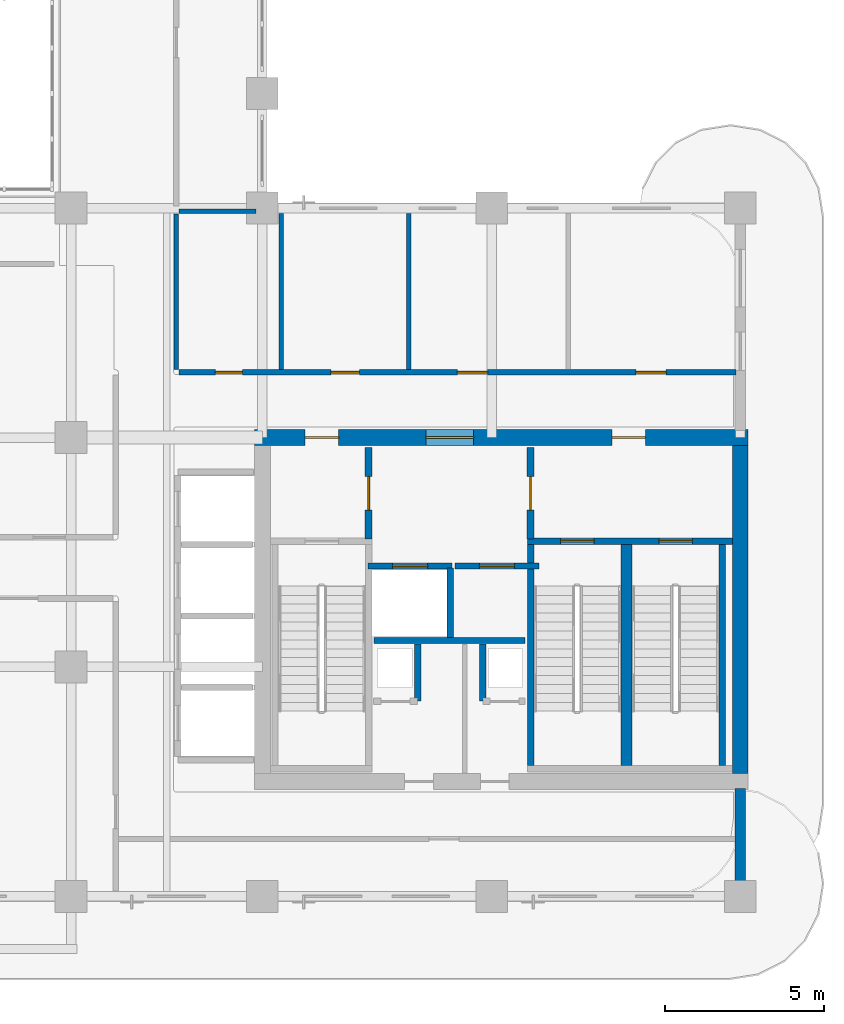
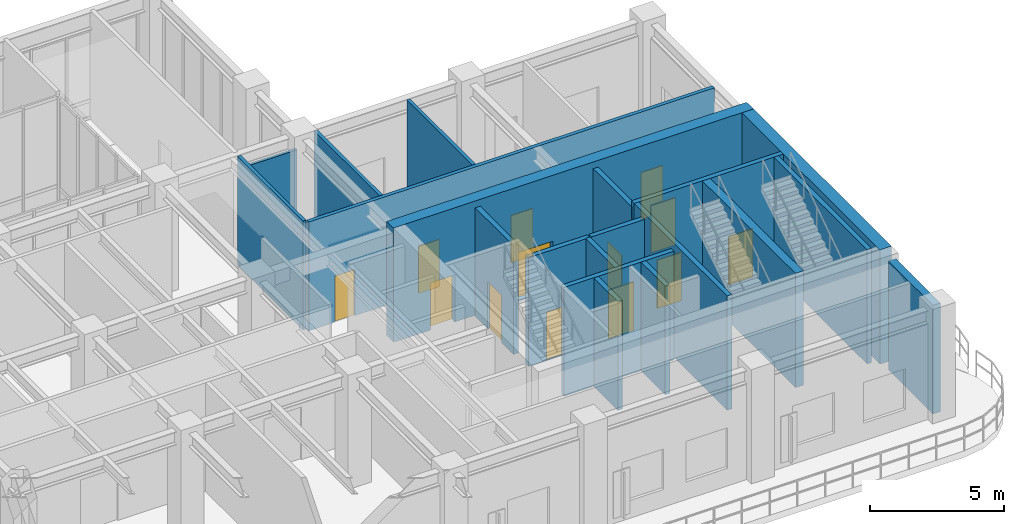
# One storey, part 13 of 21: 20 walls, 13 doors, 13 openings.
"""IFC4 building model written with IfcOpenShell, lengths in metres."""

from ifc_helpers import new_model, si_unit, derived_unit, direction, frame, frame_2d, origin, place, context, subcontext, project, spatial, rectangle, extrude, source, transform, mapped, material, layer, layer_set, type_object, type_shapes, element, fill, save


model = new_model("IFC4")

# Units and contexts
model_context = context("Model", 3, precision=1e-05, world=origin(), true_north=direction((0.0, 1.0)))
body_context = subcontext(model_context, "Body", "Model", "MODEL_VIEW")
ifc_project = project(units=[si_unit("LENGTHUNIT", "METRE"), si_unit("AREAUNIT", "SQUARE_METRE"), si_unit("VOLUMEUNIT", "CUBIC_METRE"), si_unit("PLANEANGLEUNIT", "RADIAN"), si_unit("MASSUNIT", "GRAM", prefix="KILO"), si_unit("THERMODYNAMICTEMPERATUREUNIT", "KELVIN"), si_unit("POWERUNIT", "WATT"), derived_unit("THERMALTRANSMITTANCEUNIT", [(si_unit("POWERUNIT", "WATT"), 1), (si_unit("AREAUNIT", "SQUARE_METRE"), -1), (si_unit("THERMODYNAMICTEMPERATUREUNIT", "KELVIN"), -1)])], contexts=[model_context])

# Site, building, storey
site_placement = place(None, origin())
site = spatial("IfcSite", under=ifc_project, at=site_placement, CompositionType="ELEMENT")
building_placement = place(site_placement, origin())
building = spatial("IfcBuilding", under=site, at=building_placement, Name="Zahravan Archway Hotel and Residences", CompositionType="ELEMENT")
storey_placement = place(building_placement, frame((0.0, 0.0, 145.10009765625)))
storey = spatial("IfcBuildingStorey", under=building, at=storey_placement, Name="L36", CompositionType="ELEMENT", Elevation=145.10009765625)

# Wall, openings, doors
ifc_material_1 = material(Name="Concrete C60/75", Category="concrete")
ifc_layer_1 = layer(ifc_material_1, 0.5, Name="Concrete C60/75", Category="concrete")
ifc_layer_set_1 = layer_set([ifc_layer_1], Name="Concrete C60/75")
wall_type_1 = type_object("IfcWallType", Name="CW-CORE-500", PredefinedType="SHEAR", material=ifc_layer_set_1)
wall_1_placement = place(storey_placement, frame((34.550048828125, 14.39990234375, 0.0), z_axis=(0.0, 0.0, 1.0), x_axis=(1.0, 0.0, 0.0)))
wall_1 = element("IfcWall", 1, at=wall_1_placement, inside=storey, type_object=wall_type_1, Name="L36 Core A Shear N Wall 500 mm", PredefinedType="SHEAR", context=body_context, shape_type="SweptSolid", body=[
    extrude(rectangle(XDim=15.5, YDim=0.5, at=frame_2d((7.75, 0.0))), origin(), (0.0, 0.0, 1.0), 5.199951171875),
])
opening_1_placement = place(wall_1_placement, frame((5.3798828125, 0.0, 0.0)))
opening_1 = element("IfcOpeningElement", 2, at=opening_1_placement, cuts=wall_1, Name="Opening FD-L1", PredefinedType="OPENING", context=body_context, shape_type="SweptSolid", body=[
    extrude(rectangle(XDim=1.5, YDim=2.199951171875, at=frame_2d((0.75, 1.10009765625))), frame((0.0, 0.260009765625, 0.0), z_axis=(0.0, -1.0, 0.0), x_axis=(1.0, 0.0, 0.0)), (0.0, 0.0, 1.0), 0.52001953125),
])
opening_2_placement = place(wall_1_placement, frame((1.594970703125, 0.0, 0.0)))
opening_2 = element("IfcOpeningElement", 3, at=opening_2_placement, cuts=wall_1, Name="Opening FD-L2", PredefinedType="OPENING", context=body_context, shape_type="SweptSolid", body=[
    extrude(rectangle(XDim=1.050048828125, YDim=2.14990234375, at=frame_2d((0.52490234375, 1.074951171875))), frame((0.0, 0.260009765625, 0.0), z_axis=(0.0, -1.0, 0.0), x_axis=(1.0, 0.0, 0.0)), (0.0, 0.0, 1.0), 0.52001953125),
])
opening_3_placement = place(wall_1_placement, frame((11.22509765625, 0.0, 0.0)))
opening_3 = element("IfcOpeningElement", 4, at=opening_3_placement, cuts=wall_1, Name="Opening FD-L2", PredefinedType="OPENING", context=body_context, shape_type="SweptSolid", body=[
    extrude(rectangle(XDim=1.050048828125, YDim=2.14990234375, at=frame_2d((0.52490234375, 1.074951171875))), frame((0.0, 0.260009765625, 0.0), z_axis=(0.0, -1.0, 0.0), x_axis=(1.0, 0.0, 0.0)), (0.0, 0.0, 1.0), 0.52001953125),
])
ifc_material_2 = material(Name="Fire-Rated Painted Steel", Category="steel")
door_type_1 = type_object("IfcDoorType", Name="FD-LOBBY-1100", OperationType="NOTDEFINED", PredefinedType="DOOR", material=ifc_material_2)
shared_shape_1 = source(origin(), body_context, "Body", "SweptSolid", [
    extrude(rectangle(XDim=1.050048828125, YDim=2.14990234375, at=frame_2d((0.52490234375, 1.074951171875))), frame((0.0, 0.02490234375, 0.0), z_axis=(0.0, -1.0, 0.0), x_axis=(1.0, 0.0, 0.0)), (0.0, 0.0, 1.0), 0.050048828125),
])
type_shapes(door_type_1, [shared_shape_1])
door_1_placement = place(opening_2_placement, origin())
door_1 = element("IfcDoor", 5, at=door_1_placement, inside=storey, type_object=door_type_1, Name="L36 Core A West Stair Lobby Door", OperationType="SINGLE_SWING_RIGHT", OverallHeight=2.14990234375, OverallWidth=1.050048828125, PredefinedType="DOOR", context=body_context, shape_type="MappedRepresentation", body=[
    mapped(shared_shape_1, transform((0.0, 0.0, 0.0), scale=1.0)),
])
fill(opening_2, door_1)
door_2_placement = place(opening_3_placement, origin())
door_2 = element("IfcDoor", 6, at=door_2_placement, inside=storey, type_object=door_type_1, Name="L36 Core A East Stair Lobby Door", OperationType="SINGLE_SWING_LEFT", OverallHeight=2.14990234375, OverallWidth=1.050048828125, PredefinedType="DOOR", context=body_context, shape_type="MappedRepresentation", body=[
    mapped(shared_shape_1, transform((0.0, 0.0, 0.0), scale=1.0)),
])
fill(opening_3, door_2)
door_type_2 = type_object("IfcDoorType", Name="FD-LOBBY-1500", OperationType="DOUBLE_DOOR_SINGLE_SWING", PredefinedType="DOOR", material=ifc_material_2)
shared_shape_2 = source(origin(), body_context, "Body", "SweptSolid", [
    extrude(rectangle(XDim=1.5, YDim=2.199951171875, at=frame_2d((0.75, 1.10009765625))), frame((0.0, 0.02490234375, 0.0), z_axis=(0.0, -1.0, 0.0), x_axis=(1.0, 0.0, 0.0)), (0.0, 0.0, 1.0), 0.050048828125),
])
type_shapes(door_type_2, [shared_shape_2])
door_3_placement = place(opening_1_placement, origin())
door_3 = element("IfcDoor", 7, at=door_3_placement, inside=storey, type_object=door_type_2, Name="L36 Core A FSAE Lobby Main Door", OperationType="DOUBLE_DOOR_SINGLE_SWING", OverallHeight=2.199951171875, OverallWidth=1.5, PredefinedType="DOOR", context=body_context, shape_type="MappedRepresentation", body=[
    mapped(shared_shape_2, transform((0.0, 0.0, 0.0), scale=1.0)),
])
fill(opening_1, door_3)

# Walls
wall_2_placement = place(storey_placement, frame((49.800048828125, 3.85009765625, 0.0), z_axis=(0.0, 0.0, 1.0), x_axis=(0.0, 1.0, 0.0)))
element("IfcWall", 8, at=wall_2_placement, inside=storey, type_object=wall_type_1, Name="L36 Core A Shear E Wall 500 mm", PredefinedType="SHEAR", context=body_context, shape_type="SweptSolid", body=[
    extrude(rectangle(XDim=10.2998046875, YDim=0.5, at=frame_2d((5.14990234375, 0.0))), origin(), (0.0, 0.0, 1.0), 5.199951171875),
])
ifc_material_3 = material(Name="Agra Buff Sandstone & Insulated Backup", Category="masonry")
ifc_layer_2 = layer(ifc_material_3, 0.320068359375, Name="Agra Buff Sandstone & Insulated Backup", Category="masonry")
ifc_layer_set_2 = layer_set([ifc_layer_2], Name="Agra Buff Sandstone & Insulated Backup")
wall_type_2 = type_object("IfcWallType", Name="EW-SAND-320", PredefinedType="SOLIDWALL", material=ifc_layer_set_2)
wall_3_placement = place(storey_placement, frame((49.800048828125, 0.050048828125, 0.0), z_axis=(0.0, 0.0, 1.0), x_axis=(0.0, 1.0, 0.0)))
element("IfcWall", 9, at=wall_3_placement, inside=storey, type_object=wall_type_2, Name="L36 Exterior Sandstone Wall WA-ES", PredefinedType="SOLIDWALL", context=body_context, shape_type="SweptSolid", body=[
    extrude(rectangle(XDim=3.329833984375, YDim=0.320068359375, at=frame_2d((1.6650390625, 0.0))), origin(), (0.0, 0.0, 1.0), 4.949951171875),
])

# Wall, opening, door
ifc_material_4 = material(Name="Fire-Rated Gypsum & Concrete Block", Category="concrete")
ifc_layer_3 = layer(ifc_material_4, 0.219970703125, Name="Fire-Rated Gypsum & Concrete Block", Category="concrete")
ifc_layer_set_3 = layer_set([ifc_layer_3], Name="Fire-Rated Gypsum & Concrete Block")
wall_type_3 = type_object("IfcWallType", Name="PW-COMP-220", PredefinedType="PARTITIONING", material=ifc_layer_set_3)
wall_4_placement = place(storey_placement, frame((38.139892578125, 11.219970703125, 0.0), z_axis=(0.0, 0.0, 1.0), x_axis=(0.0, 1.0, 0.0)))
wall_4 = element("IfcWall", 10, at=wall_4_placement, inside=storey, type_object=wall_type_3, Name="L36 Partition CA-LOBW", PredefinedType="PARTITIONING", context=body_context, shape_type="SweptSolid", body=[
    extrude(rectangle(XDim=2.860107421875, YDim=0.219970703125, at=frame_2d((1.43017578125, 0.0))), origin(), (0.0, 0.0, 1.0), 4.949951171875),
])
opening_4_placement = place(wall_4_placement, frame((0.905029296875, 0.0, 0.0)))
opening_4 = element("IfcOpeningElement", 11, at=opening_4_placement, cuts=wall_4, Name="Opening FD-L2", PredefinedType="OPENING", context=body_context, shape_type="SweptSolid", body=[
    extrude(rectangle(XDim=1.050048828125, YDim=2.14990234375, at=frame_2d((0.52490234375, 1.074951171875))), frame((0.0, 0.1201171875, 0.0), z_axis=(0.0, -1.0, 0.0), x_axis=(1.0, 0.0, 0.0)), (0.0, 0.0, 1.0), 0.239990234375),
])
door_4_placement = place(opening_4_placement, origin())
door_4 = element("IfcDoor", 12, at=door_4_placement, inside=storey, type_object=door_type_1, Name="L36 Core A West Stair to FSAE Lobby Door", OperationType="SINGLE_SWING_RIGHT", OverallHeight=2.14990234375, OverallWidth=1.050048828125, PredefinedType="DOOR", context=body_context, shape_type="MappedRepresentation", body=[
    mapped(shared_shape_1, transform((0.0, 0.0, 0.0), scale=1.0)),
])
fill(opening_4, door_4)

wall_5_placement = place(storey_placement, frame((43.219970703125, 11.219970703125, 0.0), z_axis=(0.0, 0.0, 1.0), x_axis=(0.0, 1.0, 0.0)))
wall_5 = element("IfcWall", 13, at=wall_5_placement, inside=storey, type_object=wall_type_3, Name="L36 Partition CA-LOBE", PredefinedType="PARTITIONING", context=body_context, shape_type="SweptSolid", body=[
    extrude(rectangle(XDim=2.860107421875, YDim=0.219970703125, at=frame_2d((1.43017578125, 0.0))), origin(), (0.0, 0.0, 1.0), 4.949951171875),
])
opening_5_placement = place(wall_5_placement, frame((0.905029296875, 0.0, 0.0)))
opening_5 = element("IfcOpeningElement", 14, at=opening_5_placement, cuts=wall_5, Name="Opening FD-L2", PredefinedType="OPENING", context=body_context, shape_type="SweptSolid", body=[
    extrude(rectangle(XDim=1.050048828125, YDim=2.14990234375, at=frame_2d((0.52490234375, 1.074951171875))), frame((0.0, 0.1201171875, 0.0), z_axis=(0.0, -1.0, 0.0), x_axis=(1.0, 0.0, 0.0)), (0.0, 0.0, 1.0), 0.239990234375),
])
door_5_placement = place(opening_5_placement, origin())
door_5 = element("IfcDoor", 15, at=door_5_placement, inside=storey, type_object=door_type_1, Name="L36 Core A East Stair to FSAE Lobby Door", OperationType="SINGLE_SWING_LEFT", OverallHeight=2.14990234375, OverallWidth=1.050048828125, PredefinedType="DOOR", context=body_context, shape_type="MappedRepresentation", body=[
    mapped(shared_shape_1, transform((0.0, 0.0, 0.0), scale=1.0)),
])
fill(opening_5, door_5)

# Wall, openings, doors
ifc_layer_4 = layer(ifc_material_4, 0.159912109375, Name="Fire-Rated Gypsum & Concrete Block", Category="concrete")
ifc_layer_set_4 = layer_set([ifc_layer_4], Name="Fire-Rated Gypsum & Concrete Block")
wall_type_4 = type_object("IfcWallType", Name="PW-CORR-160", PredefinedType="PARTITIONING", material=ifc_layer_set_4)
wall_6_placement = place(storey_placement, frame((32.18994140625, 16.449951171875, 0.0), z_axis=(0.0, 0.0, 1.0), x_axis=(1.0, 0.0, 0.0)))
wall_6 = element("IfcWall", 16, at=wall_6_placement, inside=storey, type_object=wall_type_4, Name="L36 Partition WA-FN", PredefinedType="PARTITIONING", context=body_context, shape_type="SweptSolid", body=[
    extrude(rectangle(XDim=17.469970703125, YDim=0.159912109375, at=frame_2d((8.73486328125, 0.0))), origin(), (0.0, 0.0, 1.0), 4.949951171875),
])
opening_6_placement = place(wall_6_placement, frame((1.135009765625, 0.0, 0.0)))
opening_6 = element("IfcOpeningElement", 17, at=opening_6_placement, cuts=wall_6, Name="Opening D-B1", PredefinedType="OPENING", context=body_context, shape_type="SweptSolid", body=[
    extrude(rectangle(XDim=0.85009765625, YDim=2.10009765625, at=frame_2d((0.425048828125, 1.050048828125))), frame((0.0, 0.08984375, 0.0), z_axis=(0.0, -1.0, 0.0), x_axis=(1.0, 0.0, 0.0)), (0.0, 0.0, 1.0), 0.179931640625),
])
opening_7_placement = place(wall_6_placement, frame((4.760009765625, 0.0, 0.0)))
opening_7 = element("IfcOpeningElement", 18, at=opening_7_placement, cuts=wall_6, Name="Opening D-I2", PredefinedType="OPENING", context=body_context, shape_type="SweptSolid", body=[
    extrude(rectangle(XDim=0.89990234375, YDim=2.14990234375, at=frame_2d((0.449951171875, 1.074951171875))), frame((0.0, 0.08984375, 0.0), z_axis=(0.0, -1.0, 0.0), x_axis=(1.0, 0.0, 0.0)), (0.0, 0.0, 1.0), 0.179931640625),
])
opening_8_placement = place(wall_6_placement, frame((8.735107421875, 0.0, 0.0)))
opening_8 = element("IfcOpeningElement", 19, at=opening_8_placement, cuts=wall_6, Name="Opening D-I1", PredefinedType="OPENING", context=body_context, shape_type="SweptSolid", body=[
    extrude(rectangle(XDim=0.949951171875, YDim=2.14990234375, at=frame_2d((0.47509765625, 1.074951171875))), frame((0.0, 0.08984375, 0.0), z_axis=(0.0, -1.0, 0.0), x_axis=(1.0, 0.0, 0.0)), (0.0, 0.0, 1.0), 0.179931640625),
])
opening_9_placement = place(wall_6_placement, frame((14.3349609375, 0.0, 0.0)))
opening_9 = element("IfcOpeningElement", 20, at=opening_9_placement, cuts=wall_6, Name="Opening D-I1", PredefinedType="OPENING", context=body_context, shape_type="SweptSolid", body=[
    extrude(rectangle(XDim=0.949951171875, YDim=2.14990234375, at=frame_2d((0.47509765625, 1.074951171875))), frame((0.0, 0.08984375, 0.0), z_axis=(0.0, -1.0, 0.0), x_axis=(1.0, 0.0, 0.0)), (0.0, 0.0, 1.0), 0.179931640625),
])
ifc_material_5 = material(Name="Hardwood Veneer Timber", Category="wood")
door_type_3 = type_object("IfcDoorType", Name="ID-BATH-850", OperationType="NOTDEFINED", PredefinedType="DOOR", material=ifc_material_5)
shared_shape_3 = source(origin(), body_context, "Body", "SweptSolid", [
    extrude(rectangle(XDim=0.85009765625, YDim=2.10009765625, at=frame_2d((0.425048828125, 1.050048828125))), frame((0.0, 0.02490234375, 0.0), z_axis=(0.0, -1.0, 0.0), x_axis=(1.0, 0.0, 0.0)), (0.0, 0.0, 1.0), 0.050048828125),
])
type_shapes(door_type_3, [shared_shape_3])
door_6_placement = place(opening_6_placement, origin())
door_6 = element("IfcDoor", 21, at=door_6_placement, inside=storey, type_object=door_type_3, Name="L36 Accessible WC Door", OperationType="SINGLE_SWING_LEFT", OverallHeight=2.10009765625, OverallWidth=0.85009765625, PredefinedType="DOOR", context=body_context, shape_type="MappedRepresentation", body=[
    mapped(shared_shape_3, transform((0.0, 0.0, 0.0), scale=1.0)),
])
fill(opening_6, door_6)
door_type_4 = type_object("IfcDoorType", Name="ID-INT-950", OperationType="NOTDEFINED", PredefinedType="DOOR", material=ifc_material_5)
shared_shape_4 = source(origin(), body_context, "Body", "SweptSolid", [
    extrude(rectangle(XDim=0.949951171875, YDim=2.14990234375, at=frame_2d((0.47509765625, 1.074951171875))), frame((0.0, 0.02490234375, 0.0), z_axis=(0.0, -1.0, 0.0), x_axis=(1.0, 0.0, 0.0)), (0.0, 0.0, 1.0), 0.050048828125),
])
type_shapes(door_type_4, [shared_shape_4])
door_7_placement = place(opening_8_placement, origin())
door_7 = element("IfcDoor", 22, at=door_7_placement, inside=storey, type_object=door_type_4, Name="L36 Boardroom Door", OperationType="SINGLE_SWING_LEFT", OverallHeight=2.14990234375, OverallWidth=0.949951171875, PredefinedType="DOOR", context=body_context, shape_type="MappedRepresentation", body=[
    mapped(shared_shape_4, transform((0.0, 0.0, 0.0), scale=1.0)),
])
fill(opening_8, door_7)
door_8_placement = place(opening_9_placement, origin())
door_8 = element("IfcDoor", 23, at=door_8_placement, inside=storey, type_object=door_type_4, Name="L36 Therapy Clinic Door", OperationType="SINGLE_SWING_RIGHT", OverallHeight=2.14990234375, OverallWidth=0.949951171875, PredefinedType="DOOR", context=body_context, shape_type="MappedRepresentation", body=[
    mapped(shared_shape_4, transform((0.0, 0.0, 0.0), scale=1.0)),
])
fill(opening_9, door_8)
door_type_5 = type_object("IfcDoorType", Name="ID-INT-900", OperationType="NOTDEFINED", PredefinedType="DOOR", material=ifc_material_5)
shared_shape_5 = source(origin(), body_context, "Body", "SweptSolid", [
    extrude(rectangle(XDim=0.89990234375, YDim=2.14990234375, at=frame_2d((0.449951171875, 1.074951171875))), frame((0.0, 0.02490234375, 0.0), z_axis=(0.0, -1.0, 0.0), x_axis=(1.0, 0.0, 0.0)), (0.0, 0.0, 1.0), 0.050048828125),
])
type_shapes(door_type_5, [shared_shape_5])
door_9_placement = place(opening_7_placement, origin())
door_9 = element("IfcDoor", 24, at=door_9_placement, inside=storey, type_object=door_type_5, Name="L36 Pantry Door", OperationType="SINGLE_SWING_RIGHT", OverallHeight=2.14990234375, OverallWidth=0.89990234375, PredefinedType="DOOR", context=body_context, shape_type="MappedRepresentation", body=[
    mapped(shared_shape_5, transform((0.0, 0.0, 0.0), scale=1.0)),
])
fill(opening_7, door_9)

# Walls
ifc_layer_5 = layer(ifc_material_4, 0.199951171875, Name="Fire-Rated Gypsum & Concrete Block", Category="concrete")
ifc_layer_set_5 = layer_set([ifc_layer_5], Name="Fire-Rated Gypsum & Concrete Block")
wall_type_5 = type_object("IfcWallType", Name="PW-SHAFT-200", PredefinedType="PARTITIONING", material=ifc_layer_set_5)
wall_7_placement = place(storey_placement, frame((38.300048828125, 8.030029296875, 0.0), z_axis=(0.0, 0.0, 1.0), x_axis=(1.0, 0.0, 0.0)))
element("IfcWall", 25, at=wall_7_placement, inside=storey, type_object=wall_type_5, Name="L36 Partition CA-FLS", PredefinedType="PARTITIONING", context=body_context, shape_type="SweptSolid", body=[
    extrude(rectangle(XDim=4.739990234375, YDim=0.199951171875, at=frame_2d((2.3701171875, 0.0))), origin(), (0.0, 0.0, 1.0), 4.949951171875),
])
wall_8_placement = place(storey_placement, frame((40.699951171875, 8.1201171875, 0.0), z_axis=(0.0, 0.0, 1.0), x_axis=(0.0, 1.0, 0.0)))
element("IfcWall", 26, at=wall_8_placement, inside=storey, type_object=wall_type_5, Name="L36 Partition CA-FLM", PredefinedType="PARTITIONING", context=body_context, shape_type="SweptSolid", body=[
    extrude(rectangle(XDim=2.179931640625, YDim=0.199951171875, at=frame_2d((1.08984375, 0.0))), origin(), (0.0, 0.0, 1.0), 4.949951171875),
])
for number, where, z_axis, x_axis, name in (
    (27, (39.679931640625, 6.1298828125, 0.0), (0.0, 0.0, 1.0), (0.0, 1.0, 0.0), "L36 Partition CA-SMKE"),
    (28, (41.719970703125, 6.1298828125, 0.0), (0.0, 0.0, 1.0), (0.0, 1.0, 0.0), "L36 Partition CA-MEPW"),
):
    element("IfcWall", number, at=place(storey_placement, frame(where, z_axis=z_axis, x_axis=x_axis)), inside=storey, type_object=wall_type_5, Name=name, PredefinedType="PARTITIONING", context=body_context, shape_type="SweptSolid", body=[
        extrude(rectangle(XDim=1.7900390625, YDim=0.199951171875, at=frame_2d((0.89501953125, 0.0))), origin(), (0.0, 0.0, 1.0), 4.949951171875),
    ])

# Wall, opening, door
wall_9_placement = place(storey_placement, frame((38.1201171875, 10.3701171875, 0.0), z_axis=(0.0, 0.0, 1.0), x_axis=(1.0, 0.0, 0.0)))
wall_9 = element("IfcWall", 29, at=wall_9_placement, inside=storey, type_object=wall_type_5, Name="L36 Lift FL-1 Front Wall", PredefinedType="PARTITIONING", context=body_context, shape_type="SweptSolid", body=[
    extrude(rectangle(XDim=2.639892578125, YDim=0.199951171875, at=frame_2d((1.31982421875, 0.0))), origin(), (0.0, 0.0, 1.0), 4.949951171875),
])
opening_10_placement = place(wall_9_placement, frame((0.77001953125, 0.0, 0.0)))
opening_10 = element("IfcOpeningElement", 30, at=opening_10_placement, cuts=wall_9, Name="Opening LD", PredefinedType="OPENING", context=body_context, shape_type="SweptSolid", body=[
    extrude(rectangle(XDim=1.10009765625, YDim=2.199951171875, at=frame_2d((0.550048828125, 1.10009765625))), frame((0.0, 0.10986328125, 0.0), z_axis=(0.0, -1.0, 0.0), x_axis=(1.0, 0.0, 0.0)), (0.0, 0.0, 1.0), 0.219970703125),
])
ifc_material_6 = material(Name="Brushed Stainless Steel", Category="steel")
door_type_6 = type_object("IfcDoorType", Name="DR-LIFT-LD", OperationType="SLIDING_TO_LEFT", PredefinedType="DOOR", material=ifc_material_6)
shared_shape_6 = source(origin(), body_context, "Body", "SweptSolid", [
    extrude(rectangle(XDim=1.10009765625, YDim=2.199951171875, at=frame_2d((0.550048828125, 1.10009765625))), frame((0.0, 0.02490234375, 0.0), z_axis=(0.0, -1.0, 0.0), x_axis=(1.0, 0.0, 0.0)), (0.0, 0.0, 1.0), 0.050048828125),
])
type_shapes(door_type_6, [shared_shape_6])
door_10_placement = place(opening_10_placement, origin())
door_10 = element("IfcDoor", 31, at=door_10_placement, inside=storey, type_object=door_type_6, Name="L36 Lift FL-1 Sliding Landing Door", OperationType="SLIDING_TO_LEFT", OverallHeight=2.199951171875, OverallWidth=1.10009765625, PredefinedType="DOOR", context=body_context, shape_type="MappedRepresentation", body=[
    mapped(shared_shape_6, transform((0.0, 0.0, 0.0), scale=1.0)),
])
fill(opening_10, door_10)

wall_10_placement = place(storey_placement, frame((40.840087890625, 10.3701171875, 0.0), z_axis=(0.0, 0.0, 1.0), x_axis=(1.0, 0.0, 0.0)))
wall_10 = element("IfcWall", 32, at=wall_10_placement, inside=storey, type_object=wall_type_5, Name="L36 Lift FL-2 Front Wall", PredefinedType="PARTITIONING", context=body_context, shape_type="SweptSolid", body=[
    extrude(rectangle(XDim=2.639892578125, YDim=0.199951171875, at=frame_2d((1.31982421875, 0.0))), origin(), (0.0, 0.0, 1.0), 4.949951171875),
])
opening_11_placement = place(wall_10_placement, frame((0.77001953125, 0.0, 0.0)))
opening_11 = element("IfcOpeningElement", 33, at=opening_11_placement, cuts=wall_10, Name="Opening LD", PredefinedType="OPENING", context=body_context, shape_type="SweptSolid", body=[
    extrude(rectangle(XDim=1.10009765625, YDim=2.199951171875, at=frame_2d((0.550048828125, 1.10009765625))), frame((0.0, 0.10986328125, 0.0), z_axis=(0.0, -1.0, 0.0), x_axis=(1.0, 0.0, 0.0)), (0.0, 0.0, 1.0), 0.219970703125),
])
door_11_placement = place(opening_11_placement, origin())
door_11 = element("IfcDoor", 34, at=door_11_placement, inside=storey, type_object=door_type_6, Name="L36 Lift FL-2 Sliding Landing Door", OperationType="SLIDING_TO_LEFT", OverallHeight=2.199951171875, OverallWidth=1.10009765625, PredefinedType="DOOR", context=body_context, shape_type="MappedRepresentation", body=[
    mapped(shared_shape_6, transform((0.0, 0.0, 0.0), scale=1.0)),
])
fill(opening_11, door_11)

# Walls
ifc_material_7 = material(Name="Moisture-Resistant Blockwork", Category="masonry")
ifc_layer_6 = layer(ifc_material_7, 0.139892578125, Name="Moisture-Resistant Blockwork", Category="masonry")
ifc_layer_set_6 = layer_set([ifc_layer_6], Name="Moisture-Resistant Blockwork")
wall_type_6 = type_object("IfcWallType", Name="PW-WET-140", PredefinedType="PARTITIONING", material=ifc_layer_set_6)
wall_11_placement = place(storey_placement, frame((32.10009765625, 16.5400390625, 0.0), z_axis=(0.0, 0.0, 1.0), x_axis=(0.0, 1.0, 0.0)))
element("IfcWall", 35, at=wall_11_placement, inside=storey, type_object=wall_type_6, Name="L36 Partition NE-W0", PredefinedType="PARTITIONING", context=body_context, shape_type="SweptSolid", body=[
    extrude(rectangle(XDim=4.869873046875, YDim=0.139892578125, at=frame_2d((2.43505859375, 0.0))), origin(), (0.0, 0.0, 1.0), 4.949951171875),
])
for number, where, z_axis, x_axis, name in (
    (36, (35.39990234375, 16.5400390625, 0.0), (0.0, 0.0, 1.0), (0.0, 1.0, 0.0), "L36 Partition NE2-1"),
    (37, (39.39990234375, 16.5400390625, 0.0), (0.0, 0.0, 1.0), (0.0, 1.0, 0.0), "L36 Partition NE2-2"),
):
    element("IfcWall", number, at=place(storey_placement, frame(where, z_axis=z_axis, x_axis=x_axis)), inside=storey, type_object=wall_type_6, Name=name, PredefinedType="PARTITIONING", context=body_context, shape_type="SweptSolid", body=[
        extrude(rectangle(XDim=4.891845703125, YDim=0.139892578125, at=frame_2d((2.44580078125, 0.0))), origin(), (0.0, 0.0, 1.0), 4.949951171875),
    ])
wall_12_placement = place(storey_placement, frame((32.18994140625, 21.5, 0.0), z_axis=(0.0, 0.0, 1.0), x_axis=(1.0, 0.0, 0.0)))
element("IfcWall", 38, at=wall_12_placement, inside=storey, type_object=wall_type_6, Name="L36 Partition ATR-ES", PredefinedType="PARTITIONING", context=body_context, shape_type="SweptSolid", body=[
    extrude(rectangle(XDim=2.420166015625, YDim=0.139892578125, at=frame_2d((1.2099609375, 0.0))), origin(), (0.0, 0.0, 1.0), 4.3349609375),
])
ifc_material_8 = material(Name="Concrete C50/60", Category="concrete")
ifc_layer_7 = layer(ifc_material_8, 0.199951171875, Name="Concrete C50/60", Category="concrete")
ifc_layer_set_7 = layer_set([ifc_layer_7], Name="Concrete C50/60")
wall_type_7 = type_object("IfcWallType", Name="SW-STAIR-200", PredefinedType="SHEAR", material=ifc_layer_set_7)
for number, where, z_axis, x_axis, name in (
    (39, (43.219970703125, 4.10009765625, 0.0), (0.0, 0.0, 1.0), (0.0, 1.0, 0.0), "L36 Stairwell RC Wall CA-SA2W"),
    (40, (49.239990234375, 4.10009765625, 0.0), (0.0, 0.0, 1.0), (0.0, 1.0, 0.0), "L36 Stairwell RC Wall CA-SA3E"),
):
    element("IfcWall", number, at=place(storey_placement, frame(where, z_axis=z_axis, x_axis=x_axis)), inside=storey, type_object=wall_type_7, Name=name, PredefinedType="SHEAR", context=body_context, shape_type="SweptSolid", body=[
        extrude(rectangle(XDim=6.949951171875, YDim=0.199951171875, at=frame_2d((3.47509765625, 0.0))), origin(), (0.0, 0.0, 1.0), 5.199951171875),
    ])

# Wall, openings, doors
wall_13_placement = place(storey_placement, frame((43.1201171875, 11.14990234375, 0.0), z_axis=(0.0, 0.0, 1.0), x_axis=(1.0, 0.0, 0.0)))
wall_13 = element("IfcWall", 41, at=wall_13_placement, inside=storey, type_object=wall_type_7, Name="L36 Stairwell RC Wall CA-SA23N", PredefinedType="SHEAR", context=body_context, shape_type="SweptSolid", body=[
    extrude(rectangle(XDim=6.429931640625, YDim=0.199951171875, at=frame_2d((3.21484375, 0.0))), origin(), (0.0, 0.0, 1.0), 5.199951171875),
])
opening_12_placement = place(wall_13_placement, frame((1.044921875, 0.0, 0.0)))
opening_12 = element("IfcOpeningElement", 42, at=opening_12_placement, cuts=wall_13, Name="Opening FD-S1", PredefinedType="OPENING", context=body_context, shape_type="SweptSolid", body=[
    extrude(rectangle(XDim=1.050048828125, YDim=2.199951171875, at=frame_2d((0.52490234375, 1.10009765625))), frame((0.0, 0.10986328125, 0.0), z_axis=(0.0, -1.0, 0.0), x_axis=(1.0, 0.0, 0.0)), (0.0, 0.0, 1.0), 0.219970703125),
])
opening_13_placement = place(wall_13_placement, frame((4.125, 0.0, 0.0)))
opening_13 = element("IfcOpeningElement", 43, at=opening_13_placement, cuts=wall_13, Name="Opening FD-S1", PredefinedType="OPENING", context=body_context, shape_type="SweptSolid", body=[
    extrude(rectangle(XDim=1.050048828125, YDim=2.199951171875, at=frame_2d((0.52490234375, 1.10009765625))), frame((0.0, 0.10986328125, 0.0), z_axis=(0.0, -1.0, 0.0), x_axis=(1.0, 0.0, 0.0)), (0.0, 0.0, 1.0), 0.219970703125),
])
door_type_7 = type_object("IfcDoorType", Name="FD-STAIR-1100", OperationType="NOTDEFINED", PredefinedType="DOOR", material=ifc_material_2)
shared_shape_7 = source(origin(), body_context, "Body", "SweptSolid", [
    extrude(rectangle(XDim=1.050048828125, YDim=2.199951171875, at=frame_2d((0.52490234375, 1.10009765625))), frame((0.0, 0.02490234375, 0.0), z_axis=(0.0, -1.0, 0.0), x_axis=(1.0, 0.0, 0.0)), (0.0, 0.0, 1.0), 0.050048828125),
])
type_shapes(door_type_7, [shared_shape_7])
door_12_placement = place(opening_12_placement, origin())
door_12 = element("IfcDoor", 44, at=door_12_placement, inside=storey, type_object=door_type_7, Name="L36 Stair ST-A2 Door", OperationType="SINGLE_SWING_RIGHT", OverallHeight=2.199951171875, OverallWidth=1.050048828125, PredefinedType="DOOR", context=body_context, shape_type="MappedRepresentation", body=[
    mapped(shared_shape_7, transform((0.0, 0.0, 0.0), scale=1.0)),
])
fill(opening_12, door_12)
door_13_placement = place(opening_13_placement, origin())
door_13 = element("IfcDoor", 45, at=door_13_placement, inside=storey, type_object=door_type_7, Name="L36 Stair ST-A3 Door", OperationType="SINGLE_SWING_LEFT", OverallHeight=2.199951171875, OverallWidth=1.050048828125, PredefinedType="DOOR", context=body_context, shape_type="MappedRepresentation", body=[
    mapped(shared_shape_7, transform((0.0, 0.0, 0.0), scale=1.0)),
])
fill(opening_13, door_13)

# Wall
ifc_layer_8 = layer(ifc_material_8, 0.340087890625, Name="Concrete C50/60", Category="concrete")
ifc_layer_set_8 = layer_set([ifc_layer_8], Name="Concrete C50/60")
wall_type_8 = type_object("IfcWallType", Name="SW-STAIR-340", PredefinedType="SHEAR", material=ifc_layer_set_8)
wall_14_placement = place(storey_placement, frame((46.22998046875, 4.10009765625, 0.0), z_axis=(0.0, 0.0, 1.0), x_axis=(0.0, 1.0, 0.0)))
element("IfcWall", 46, at=wall_14_placement, inside=storey, type_object=wall_type_8, Name="L36 Stairwell RC Wall CA-SA23M", PredefinedType="SHEAR", context=body_context, shape_type="SweptSolid", body=[
    extrude(rectangle(XDim=6.949951171875, YDim=0.340087890625, at=frame_2d((3.47509765625, 0.0))), origin(), (0.0, 0.0, 1.0), 5.199951171875),
])

save(model, "model.ifc")
